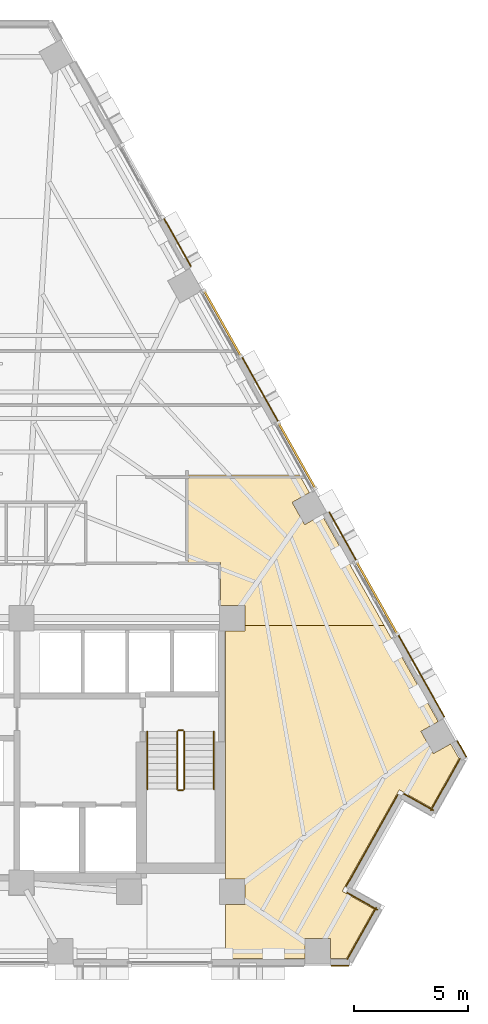
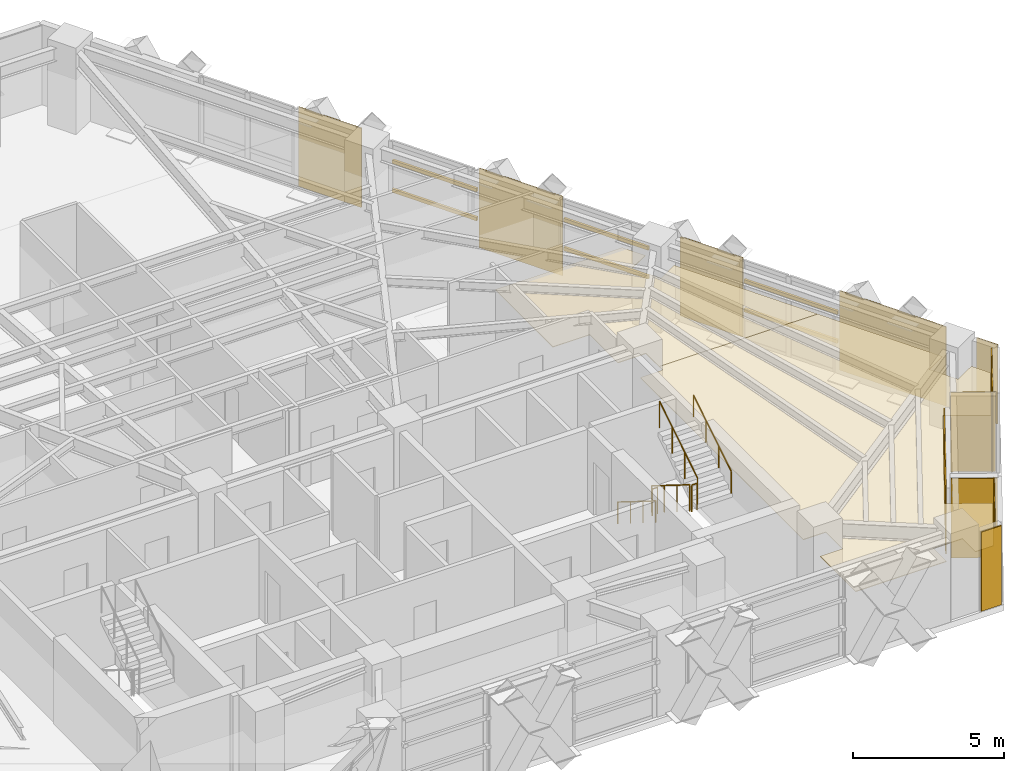
# One storey, part 13 of 14: 13 coverings, 6 railings, 6 shading devices.
"""IFC4 building model written with IfcOpenShell, lengths in metres."""

from ifc_helpers import new_model, si_unit, direction, frame, origin, origin_2d, place, context, subcontext, project, spatial, polyline, rectangle, circle, outline, extrude, material, layer, layer_set, material_profile, profile_set, type_object, element, save


model = new_model("IFC4")

# Units and contexts
model_context = context("Model", 3, precision=1e-05, world=origin(), true_north=direction((0.0, 1.0)))
body_context = subcontext(model_context, "Body", "Model", "MODEL_VIEW")
ifc_project = project(units=[si_unit("LENGTHUNIT", "METRE"), si_unit("AREAUNIT", "SQUARE_METRE"), si_unit("VOLUMEUNIT", "CUBIC_METRE"), si_unit("PLANEANGLEUNIT", "RADIAN"), si_unit("MASSUNIT", "GRAM", prefix="KILO")], contexts=[model_context])

# Site, building, storey
site_placement = place(None, origin())
site = spatial("IfcSite", under=ifc_project, at=site_placement, CompositionType="ELEMENT")
building_placement = place(site_placement, origin())
building = spatial("IfcBuilding", under=site, at=building_placement, Name="Quenlor Broadcast Tower", CompositionType="ELEMENT")
storey_placement = place(building_placement, frame((0.0, 0.0, 102.0)))
storey = spatial("IfcBuildingStorey", under=building, at=storey_placement, Name="L27", CompositionType="ELEMENT", Elevation=102.0)

# Coverings
ifc_material_1 = material(Name="Acoustic Mineral Fibre Board", Category="other")
ifc_layer_1 = layer(ifc_material_1, 0.02490234375)
ifc_layer_set_1 = layer_set([ifc_layer_1], Name="Acoustic Perforated Mineral Tile Ceiling 25")
covering_type_1 = type_object("IfcCoveringType", Name="Acoustic Perforated Mineral Tile Ceiling 25", PredefinedType="CEILING", material=ifc_layer_set_1)
covering_1_placement = place(storey_placement, frame((0.0, 0.0, 2.22509765625)))
element("IfcCovering", 1, at=covering_1_placement, inside=storey, type_object=covering_type_1, Name="L27 Acoustic Ceiling L27-34", PredefinedType="CEILING", context=body_context, shape_type="SweptSolid", body=[
    extrude(outline(polyline([(11.0224609375, 1.4599609375), (15.888671875, 1.4599609375), (16.32666015625, 0.68115234375), (15.5703125, 0.255615234375), (16.1171875, -0.717041015625), (16.873779296875, -0.29150390625), (19.58984375, -5.1201171875), (13.508056640625, -5.1201171875), (13.508056640625, -4.241943359375), (12.43994140625, -4.241943359375), (12.43994140625, -2.3701171875), (11.0224609375, -2.3701171875), (11.0224609375, 1.4599609375)])), origin(), (0.0, 0.0, 1.0), 0.02490234375),
])
covering_2_placement = place(storey_placement, frame((0.0, 0.0, 2.22509765625)))
element("IfcCovering", 2, at=covering_2_placement, inside=storey, type_object=covering_type_1, Name="L27 Acoustic Ceiling L27-34-2", PredefinedType="CEILING", context=body_context, shape_type="SweptSolid", body=[
    extrude(outline(polyline([(21.951416015625, -9.318115234375), (21.19482421875, -9.74365234375), (21.741943359375, -10.71630859375), (22.49853515625, -10.290771484375), (22.85693359375, -10.927978515625), (21.64453125, -13.08349609375), (20.25, -12.299072265625), (17.759521484375, -16.7265625), (19.15380859375, -17.510986328125), (17.9453125, -19.659912109375), (17.25048828125, -19.659912109375), (17.25048828125, -18.7919921875), (16.134521484375, -18.7919921875), (16.134521484375, -19.659912109375), (12.64990234375, -19.659912109375), (12.64990234375, -17.30810546875), (13.508056640625, -17.30810546875), (13.508056640625, -16.19189453125), (12.64990234375, -16.19189453125), (12.64990234375, -5.35791015625), (13.508056640625, -5.35791015625), (13.508056640625, -5.1201171875), (19.58984375, -5.1201171875), (21.951416015625, -9.318115234375)])), origin(), (0.0, 0.0, 1.0), 0.02490234375),
])

# Shading devices
ifc_material_2 = material(Name="Architectural Terracotta Ceramic", Category="masonry")
ifc_material_profile = material_profile(ifc_material_2, rectangle(XDim=0.090087890625, YDim=0.139892578125, at=origin_2d()))
ifc_profile_set = profile_set([ifc_material_profile], Name="Architectural Terracotta Ceramic BAG90x140")
shading_device_type = type_object("IfcShadingDeviceType", Name="Copper Terracotta Baguette Solar Screen 140", PredefinedType="USERDEFINED", material=ifc_profile_set)
for number, where, z_axis, x_axis, name in (
    (3, (18.385986328125, -2.341796875, 1.169921875), (0.490344725936, -0.871528570815, 0.0), (0.871528570815, 0.490344725936, 0.0), "L27 Terracotta Baguette Screen 1"),
    (4, (18.385986328125, -2.341796875, 2.340087890625), (0.490344725936, -0.871528570815, 0.0), (0.871528570815, 0.490344725936, 0.0), "L27 Terracotta Baguette Screen 2"),
):
    element("IfcShadingDevice", number, at=place(storey_placement, frame(where, z_axis=z_axis, x_axis=x_axis)), inside=storey, type_object=shading_device_type, Name=name, ObjectType="BAGUETTE", PredefinedType="USERDEFINED", context=body_context, shape_type="SweptSolid", body=[
        extrude(rectangle(XDim=0.090087890625, YDim=0.139892578125, at=origin_2d()), origin(), (0.0, 0.0, 1.0), 3.60986328125),
    ])
for number, where, z_axis, x_axis, name in (
    (5, (11.7275390625, 9.49560546875, 1.169921875), (0.490254145389, -0.871579527599, 0.0), (0.871579527599, 0.490254145389, 0.0), "L27 Terracotta Baguette Screen 1"),
    (6, (11.7275390625, 9.49560546875, 2.340087890625), (0.490254145389, -0.871579527599, 0.0), (0.871579527599, 0.490254145389, 0.0), "L27 Terracotta Baguette Screen 2"),
    (7, (14.97314453125, 3.72607421875, 1.169921875), (0.490254145389, -0.871579527599, 0.0), (0.871579527599, 0.490254145389, 0.0), "L27 Terracotta Baguette Screen 1"),
    (8, (14.97314453125, 3.72607421875, 2.340087890625), (0.490254145389, -0.871579527599, 0.0), (0.871579527599, 0.490254145389, 0.0), "L27 Terracotta Baguette Screen 2"),
):
    element("IfcShadingDevice", number, at=place(storey_placement, frame(where, z_axis=z_axis, x_axis=x_axis)), inside=storey, type_object=shading_device_type, Name=name, ObjectType="BAGUETTE", PredefinedType="USERDEFINED", context=body_context, shape_type="SweptSolid", body=[
        extrude(rectangle(XDim=0.090087890625, YDim=0.139892578125, at=origin_2d()), origin(), (0.0, 0.0, 1.0), 3.267822265625),
    ])

# Coverings
ifc_material_3 = material(Name="Architectural Terracotta Ceramic", Category="masonry")
ifc_layer_2 = layer(ifc_material_3, 0.044921875)
ifc_layer_set_2 = layer_set([ifc_layer_2], Name="Fluted Terracotta Rainscreen Cladding Panel")
covering_type_2 = type_object("IfcCoveringType", Name="Fluted Terracotta Rainscreen Cladding Panel", PredefinedType="CLADDING", material=ifc_layer_set_2)
covering_3_placement = place(storey_placement, frame((0.0, 0.0, 0.02001953125)))
element("IfcCovering", 9, at=covering_3_placement, inside=storey, type_object=covering_type_2, Name="L27 Terracotta Rainscreen Cladding L27-SHD-SS0", PredefinedType="CLADDING", context=body_context, shape_type="SweptSolid", body=[
    extrude(outline(polyline([(18.053955078125, -19.951904296875), (17.277587890625, -19.951904296875), (17.277587890625, -19.9970703125), (18.053955078125, -19.9970703125), (18.053955078125, -19.951904296875)])), origin(), (0.0, 0.0, 1.0), 3.2099609375),
])
covering_4_placement = place(storey_placement, frame((0.0, 0.0, 0.02001953125)))
element("IfcCovering", 10, at=covering_4_placement, inside=storey, type_object=covering_type_2, Name="L27 Terracotta Rainscreen Cladding L27-SHD-NES1", PredefinedType="CLADDING", context=body_context, shape_type="SweptSolid", body=[
    extrude(outline(polyline([(22.76611328125, -10.171142578125), (23.160888671875, -10.873046875), (23.2001953125, -10.85107421875), (22.805419921875, -10.149169921875), (22.76611328125, -10.171142578125)])), origin(), (0.0, 0.0, 1.0), 3.2099609375),
])
covering_5_placement = place(storey_placement, frame((0.0, 0.0, 0.02001953125)))
element("IfcCovering", 11, at=covering_5_placement, inside=storey, type_object=covering_type_2, Name="L27 Terracotta Rainscreen Cladding L27-NEA-SP2", PredefinedType="CLADDING", context=body_context, shape_type="SweptSolid", body=[
    extrude(outline(polyline([(9.948974609375, 12.656005859375), (11.13232421875, 10.552001953125), (11.171630859375, 10.57421875), (9.98828125, 12.677978515625), (9.948974609375, 12.656005859375)])), origin(), (0.0, 0.0, 1.0), 3.2099609375),
])
covering_6_placement = place(storey_placement, frame((0.0, 0.0, 0.02001953125)))
element("IfcCovering", 12, at=covering_6_placement, inside=storey, type_object=covering_type_2, Name="L27 Terracotta Rainscreen Cladding L27-NEC-SP1", PredefinedType="CLADDING", context=body_context, shape_type="SweptSolid", body=[
    extrude(outline(polyline([(17.168701171875, -0.179443359375), (18.35205078125, -2.283203125), (18.391357421875, -2.26123046875), (17.2080078125, -0.157470703125), (17.168701171875, -0.179443359375)])), origin(), (0.0, 0.0, 1.0), 3.2099609375),
])
covering_7_placement = place(storey_placement, frame((0.0, 0.0, 0.02001953125)))
element("IfcCovering", 13, at=covering_7_placement, inside=storey, type_object=covering_type_2, Name="L27 Terracotta Rainscreen Cladding L27-NEC-SP2", PredefinedType="CLADDING", context=body_context, shape_type="SweptSolid", body=[
    extrude(outline(polyline([(20.188232421875, -5.547119140625), (22.2001953125, -9.1240234375), (22.239501953125, -9.10205078125), (20.227294921875, -5.525146484375), (20.188232421875, -5.547119140625)])), origin(), (0.0, 0.0, 1.0), 3.2099609375),
])
covering_8_placement = place(storey_placement, frame((0.0, 0.0, 0.02001953125)))
element("IfcCovering", 14, at=covering_8_placement, inside=storey, type_object=covering_type_2, Name="L27 Terracotta Rainscreen Cladding L27-NE-SP1", PredefinedType="CLADDING", context=body_context, shape_type="SweptSolid", body=[
    extrude(outline(polyline([(13.362060546875, 6.588134765625), (14.939208984375, 3.784423828125), (14.978515625, 3.806396484375), (13.401123046875, 6.610107421875), (13.362060546875, 6.588134765625)])), origin(), (0.0, 0.0, 1.0), 3.2099609375),
])
covering_9_placement = place(storey_placement, frame((0.0, 0.0, 0.02001953125)))
element("IfcCovering", 15, at=covering_9_placement, inside=storey, type_object=covering_type_2, Name="L27 Terracotta Rainscreen Cladding L27-CNR-01", PredefinedType="CLADDING", context=body_context, shape_type="SweptSolid", body=[
    extrude(outline(polyline([(19.31787109375, -17.525390625), (17.9755859375, -16.770263671875), (17.95361328125, -16.8095703125), (19.2958984375, -17.564697265625), (19.31787109375, -17.525390625)])), origin(), (0.0, 0.0, 1.0), 3.2099609375),
])
covering_10_placement = place(storey_placement, frame((0.0, 0.0, 0.02001953125)))
element("IfcCovering", 16, at=covering_10_placement, inside=storey, type_object=covering_type_2, Name="L27 Terracotta Rainscreen Cladding L27-CNR-02", PredefinedType="CLADDING", context=body_context, shape_type="SweptSolid", body=[
    extrude(outline(polyline([(17.941162109375, -16.5419921875), (20.206298828125, -12.515380859375), (20.1669921875, -12.493408203125), (17.902099609375, -16.52001953125), (17.941162109375, -16.5419921875)])), origin(), (0.0, 0.0, 1.0), 2.681884765625),
])
covering_11_placement = place(storey_placement, frame((0.0, 0.0, 0.02001953125)))
element("IfcCovering", 17, at=covering_11_placement, inside=storey, type_object=covering_type_2, Name="L27 Terracotta Rainscreen Cladding L27-CNR-03", PredefinedType="CLADDING", context=body_context, shape_type="SweptSolid", body=[
    extrude(outline(polyline([(20.4345703125, -12.48095703125), (21.741943359375, -13.21630859375), (21.763916015625, -13.177001953125), (20.45654296875, -12.441650390625), (20.4345703125, -12.48095703125)])), origin(), (0.0, 0.0, 1.0), 3.2099609375),
])
covering_12_placement = place(storey_placement, frame((0.0, 0.0, 0.02001953125)))
element("IfcCovering", 18, at=covering_12_placement, inside=storey, type_object=covering_type_2, Name="L27 Terracotta Rainscreen Cladding L27-CNR-04", PredefinedType="CLADDING", context=body_context, shape_type="SweptSolid", body=[
    extrude(outline(polyline([(21.64990234375, -13.212646484375), (22.926513671875, -10.94287109375), (22.887451171875, -10.9208984375), (21.610595703125, -13.190673828125), (21.64990234375, -13.212646484375)])), origin(), (0.0, 0.0, 1.0), 3.2099609375),
])
covering_13_placement = place(storey_placement, frame((0.0, 0.0, 0.02001953125)))
element("IfcCovering", 19, at=covering_13_placement, inside=storey, type_object=covering_type_2, Name="L27 Terracotta Rainscreen Cladding L27-CNR-18", PredefinedType="CLADDING", context=body_context, shape_type="SweptSolid", body=[
    extrude(outline(polyline([(17.991943359375, -19.71533203125), (19.26708984375, -17.448486328125), (19.227783203125, -17.426513671875), (17.952880859375, -19.693359375), (17.991943359375, -19.71533203125)])), origin(), (0.0, 0.0, 1.0), 3.2099609375),
])

# Railings
ifc_material_4 = material(Name="Anodised Aluminium", Category="aluminium")
railing_type_1 = type_object("IfcRailingType", Name="Stainless Aluminium Wall Handrail 900", PredefinedType="HANDRAIL", material=ifc_material_4)
railing_1_placement = place(storey_placement, frame((9.25, -9.75, 0.175048828125)))
element("IfcRailing", 20, at=railing_1_placement, inside=storey, type_object=railing_type_1, Name="L27 ST-2 stair handrail 1", PredefinedType="HANDRAIL", context=body_context, shape_type="SweptSolid", body=[
    extrude(circle(Radius=0.02392578125, at=origin_2d()), frame((0.0, 0.0, 0.8759765625), z_axis=(0.0, -0.848007534815, 0.529984170421), x_axis=(1.0, 0.0, 0.0)), (0.0, 0.0, 1.0), 2.9716796875),
    extrude(circle(Radius=0.02099609375, at=origin_2d()), origin(), (0.0, 0.0, 1.0), 0.851806640625),
    extrude(circle(Radius=0.02099609375, at=origin_2d()), frame((0.0, -0.840087890625, 0.52490234375)), (0.0, 0.0, 1.0), 0.851806640625),
    extrude(circle(Radius=0.02099609375, at=origin_2d()), frame((0.0, -1.679931640625, 1.050048828125)), (0.0, 0.0, 1.0), 0.851806640625),
    extrude(circle(Radius=0.02099609375, at=origin_2d()), frame((0.0, -2.52001953125, 1.574951171875)), (0.0, 0.0, 1.0), 0.851806640625),
])
railing_2_placement = place(storey_placement, frame((12.14990234375, -12.27001953125, 1.925048828125)))
element("IfcRailing", 21, at=railing_2_placement, inside=storey, type_object=railing_type_1, Name="L27 ST-2 stair handrail 2", PredefinedType="HANDRAIL", context=body_context, shape_type="SweptSolid", body=[
    extrude(circle(Radius=0.02392578125, at=origin_2d()), frame((0.0, 0.0, 0.8759765625), z_axis=(0.0, 0.848007534815, 0.529984170421), x_axis=(-1.0, 0.0, 0.0)), (0.0, 0.0, 1.0), 2.9716796875),
    extrude(circle(Radius=0.02099609375, at=origin_2d()), origin(), (0.0, 0.0, 1.0), 0.851806640625),
    extrude(circle(Radius=0.02099609375, at=origin_2d()), frame((0.0, 0.840087890625, 0.52490234375)), (0.0, 0.0, 1.0), 0.851806640625),
    extrude(circle(Radius=0.02099609375, at=origin_2d()), frame((0.0, 1.679931640625, 1.050048828125)), (0.0, 0.0, 1.0), 0.851806640625),
    extrude(circle(Radius=0.02099609375, at=origin_2d()), frame((0.0, 2.52001953125, 1.574951171875)), (0.0, 0.0, 1.0), 0.851806640625),
])
ifc_material_5 = material(Name="Steel S355", Category="steel")
railing_type_2 = type_object("IfcRailingType", Name="Tubular Steel S355 Stair Guardrail 1100", PredefinedType="BALUSTRADE", material=ifc_material_5)
railing_3_placement = place(storey_placement, frame((10.550048828125, -9.75, 0.175048828125)))
element("IfcRailing", 22, at=railing_3_placement, inside=storey, type_object=railing_type_2, Name="L27 ST-2 stair guard 1", PredefinedType="BALUSTRADE", context=body_context, shape_type="SweptSolid", body=[
    extrude(circle(Radius=0.02392578125, at=origin_2d()), frame((0.0, 0.0, 1.076171875), z_axis=(0.0, -0.848007534815, 0.529984170421), x_axis=(1.0, 0.0, 0.0)), (0.0, 0.0, 1.0), 2.9716796875),
    extrude(circle(Radius=0.02099609375, at=origin_2d()), origin(), (0.0, 0.0, 1.0), 1.052001953125),
    extrude(circle(Radius=0.02099609375, at=origin_2d()), frame((0.0, -0.840087890625, 0.52490234375)), (0.0, 0.0, 1.0), 1.052001953125),
    extrude(circle(Radius=0.02099609375, at=origin_2d()), frame((0.0, -1.679931640625, 1.050048828125)), (0.0, 0.0, 1.0), 1.052001953125),
    extrude(circle(Radius=0.02099609375, at=origin_2d()), frame((0.0, -2.52001953125, 1.574951171875)), (0.0, 0.0, 1.0), 1.052001953125),
])
railing_4_placement = place(storey_placement, frame((10.60009765625, -12.320068359375, 1.75)))
element("IfcRailing", 23, at=railing_4_placement, inside=storey, type_object=railing_type_2, Name="L27 ST-2 stair guard 2", PredefinedType="BALUSTRADE", context=body_context, shape_type="SweptSolid", body=[
    extrude(circle(Radius=0.02392578125, at=origin_2d()), frame((0.0, 0.0, 1.076171875), z_axis=(1.0, 0.0, 0.0), x_axis=(0.0, 1.0, 0.0)), (0.0, 0.0, 1.0), 0.199951171875),
    extrude(circle(Radius=0.02099609375, at=origin_2d()), origin(), (0.0, 0.0, 1.0), 1.052001953125),
    extrude(circle(Radius=0.02099609375, at=origin_2d()), frame((0.199951171875, 0.0, 0.0)), (0.0, 0.0, 1.0), 1.052001953125),
])
railing_5_placement = place(storey_placement, frame((10.85009765625, -12.27001953125, 1.925048828125)))
element("IfcRailing", 24, at=railing_5_placement, inside=storey, type_object=railing_type_2, Name="L27 ST-2 stair guard 3", PredefinedType="BALUSTRADE", context=body_context, shape_type="SweptSolid", body=[
    extrude(circle(Radius=0.02392578125, at=origin_2d()), frame((0.0, 0.0, 1.076171875), z_axis=(0.0, 0.848007534815, 0.529984170421), x_axis=(-1.0, 0.0, 0.0)), (0.0, 0.0, 1.0), 2.9716796875),
    extrude(circle(Radius=0.02099609375, at=origin_2d()), origin(), (0.0, 0.0, 1.0), 1.052001953125),
    extrude(circle(Radius=0.02099609375, at=origin_2d()), frame((0.0, 0.840087890625, 0.52490234375)), (0.0, 0.0, 1.0), 1.052001953125),
    extrude(circle(Radius=0.02099609375, at=origin_2d()), frame((0.0, 1.679931640625, 1.050048828125)), (0.0, 0.0, 1.0), 1.052001953125),
    extrude(circle(Radius=0.02099609375, at=origin_2d()), frame((0.0, 2.52001953125, 1.574951171875)), (0.0, 0.0, 1.0), 1.052001953125),
])
railing_6_placement = place(storey_placement, frame((10.60009765625, -9.699951171875, 0.0)))
element("IfcRailing", 25, at=railing_6_placement, inside=storey, type_object=railing_type_2, Name="L27 ST-2 stair guard 4", PredefinedType="BALUSTRADE", context=body_context, shape_type="SweptSolid", body=[
    extrude(circle(Radius=0.02392578125, at=origin_2d()), frame((0.0, 0.0, 1.076171875), z_axis=(1.0, 0.0, 0.0), x_axis=(0.0, 1.0, 0.0)), (0.0, 0.0, 1.0), 0.199951171875),
    extrude(circle(Radius=0.02099609375, at=origin_2d()), origin(), (0.0, 0.0, 1.0), 1.052001953125),
    extrude(circle(Radius=0.02099609375, at=origin_2d()), frame((0.199951171875, 0.0, 0.0)), (0.0, 0.0, 1.0), 1.052001953125),
])

save(model, "model.ifc")
